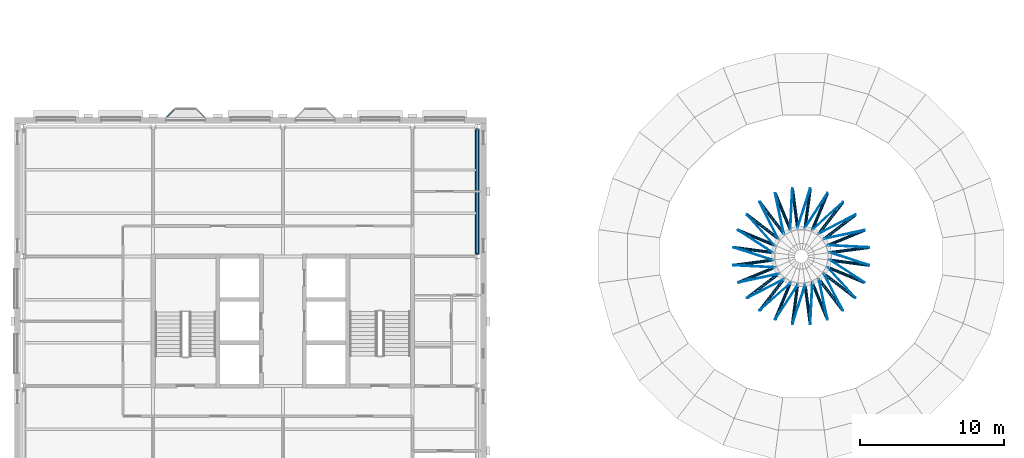
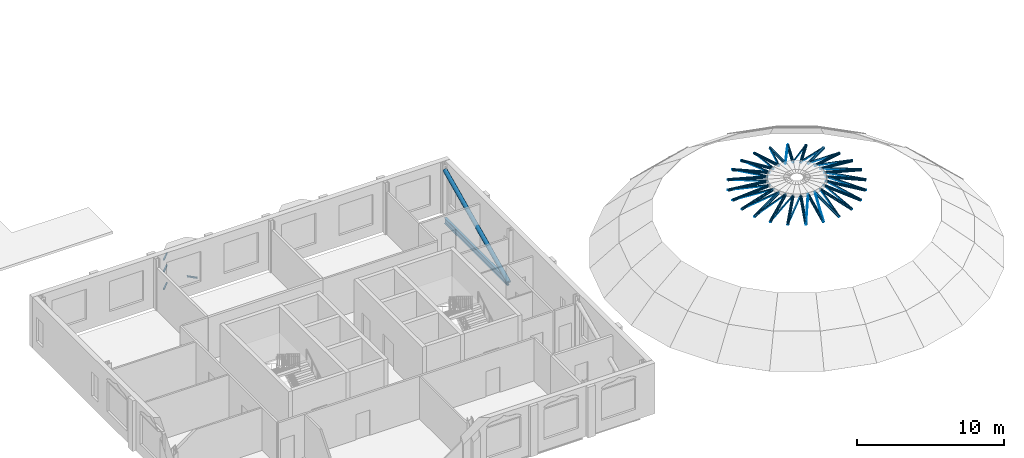
# One storey, part 3 of 15: 53 members, 25 beams, 2 elements without a shape of their own.
"""IFC4 building model written with IfcOpenShell, lengths in metres."""

from ifc_helpers import new_model, si_unit, direction, frame, origin, origin_2d, place, context, subcontext, project, spatial, rectangle, circle, hollow_circle, i_section, extrude, material, layer, layer_set, material_profile, profile_set, type_object, element, aggregate, save


model = new_model("IFC4")

# Units and contexts
model_context = context("Model", 3, precision=1e-05, world=origin(), true_north=direction((0.0, 1.0)))
body_context = subcontext(model_context, "Body", "Model", "MODEL_VIEW")
ifc_project = project(units=[si_unit("LENGTHUNIT", "METRE"), si_unit("AREAUNIT", "SQUARE_METRE"), si_unit("VOLUMEUNIT", "CUBIC_METRE"), si_unit("PLANEANGLEUNIT", "RADIAN"), si_unit("MASSUNIT", "GRAM", prefix="KILO")], contexts=[model_context])

# Site, building, storey
site_placement = place(None, origin())
site = spatial("IfcSite", under=ifc_project, at=site_placement, CompositionType="ELEMENT")
building_placement = place(site_placement, origin())
building = spatial("IfcBuilding", under=site, at=building_placement, Name="Hortulan Conservatory and Botanical Research Centre", CompositionType="ELEMENT")
storey_placement = place(building_placement, frame((0.0, 0.0, 23.39990234375)))
storey = spatial("IfcBuildingStorey", under=building, at=storey_placement, Name="L05", CompositionType="ELEMENT", Elevation=23.39990234375)

# Member
ifc_material_1 = material(Name="Steel Grade C350L0 (350 MPa, AS/NZS 1163)", Category="steel")
ifc_material_profile_1 = material_profile(ifc_material_1, hollow_circle(Radius=0.161865234375, WallThickness=0.009521484375, at=origin_2d()), Name="323.9x9.5CHS")
ifc_profile_set_1 = profile_set([ifc_material_profile_1], Name="Steel Grade C350L0 (350 MPa, AS/NZS 1163)")
member_type_1 = type_object("IfcMemberType", Name="Brace 323.9x9.5CHS", PredefinedType="BRACE", material=ifc_profile_set_1)
member_1_placement = place(storey_placement, frame((31.5, 18.16357421875, -0.28369140625), z_axis=(0.0, 0.906172061076, 0.422909205061), x_axis=(-1.0, 0.0, 0.0)))
element("IfcMember", 1, at=member_1_placement, inside=storey, type_object=member_type_1, Name="323.9x9.5CHS brace", PredefinedType="BRACE", context=body_context, shape_type="SweptSolid", body=[
    extrude(hollow_circle(Radius=0.161865234375, WallThickness=0.009521484375, at=origin_2d()), origin(), (0.0, 0.0, 1.0), 9.57080078125),
])

# Curtain wall, members
ifc_material_2 = material(Name="Bronze-finished aluminium", Category="aluminium")
ifc_layer = layer(ifc_material_2, 0.10009765625)
ifc_layer_set = layer_set([ifc_layer], Name="Oriel Curtain Wall 1350 module")
curtain_wall_type = type_object("IfcCurtainWallType", Name="Oriel Curtain Wall 1350 module", PredefinedType="NOTDEFINED", material=ifc_layer_set)
curtain_wall_1_placement = place(storey_placement, origin())
curtain_wall_1 = element("IfcCurtainWall", 2, at=curtain_wall_1_placement, inside=storey, type_object=curtain_wall_type, Name="Oriel glazing", PredefinedType="NOTDEFINED")
ifc_material_profile_2 = material_profile(ifc_material_2, rectangle(XDim=0.06005859375, YDim=0.1201171875, at=origin_2d()), Name="Bronze Transom 60x120")
ifc_profile_set_2 = profile_set([ifc_material_profile_2], Name="Bronze-finished aluminium")
member_type_2 = type_object("IfcMemberType", Name="Bronze Transom 60x120", PredefinedType="USERDEFINED", material=ifc_profile_set_2)
member_2_placement = place(storey_placement, frame((9.9423828125, 27.678466796875, 0.93017578125), z_axis=(0.707106781187, 0.707106781187, 0.0), x_axis=(-0.707106781187, 0.707106781187, 0.0)))
member_2 = element("IfcMember", 3, at=member_2_placement, type_object=member_type_2, Name="CW2 transom 1.1", ObjectType="TRANSOM", PredefinedType="USERDEFINED", context=body_context, shape_type="SweptSolid", body=[
    extrude(rectangle(XDim=0.06005859375, YDim=0.1201171875, at=origin_2d()), origin(), (0.0, 0.0, 1.0), 0.728515625),
])
member_3_placement = place(storey_placement, frame((9.9423828125, 27.678466796875, 2.400146484375), z_axis=(0.707106781187, 0.707106781187, 0.0), x_axis=(-0.707106781187, 0.707106781187, 0.0)))
member_3 = element("IfcMember", 4, at=member_3_placement, type_object=member_type_2, Name="CW2 transom 1.2", ObjectType="TRANSOM", PredefinedType="USERDEFINED", context=body_context, shape_type="SweptSolid", body=[
    extrude(rectangle(XDim=0.06005859375, YDim=0.1201171875, at=origin_2d()), origin(), (0.0, 0.0, 1.0), 0.728515625),
])
member_4_placement = place(storey_placement, frame((9.9423828125, 27.678466796875, 3.3701171875), z_axis=(0.707106781187, 0.707106781187, 0.0), x_axis=(-0.707106781187, 0.707106781187, 0.0)))
member_4 = element("IfcMember", 5, at=member_4_placement, type_object=member_type_2, Name="CW2 transom 1.3", ObjectType="TRANSOM", PredefinedType="USERDEFINED", context=body_context, shape_type="SweptSolid", body=[
    extrude(rectangle(XDim=0.06005859375, YDim=0.1201171875, at=origin_2d()), origin(), (0.0, 0.0, 1.0), 0.728515625),
])
aggregate(curtain_wall_1, [member_2, member_3, member_4])

# Curtain wall, member
curtain_wall_2_placement = place(storey_placement, origin())
curtain_wall_2 = element("IfcCurtainWall", 6, at=curtain_wall_2_placement, inside=storey, type_object=curtain_wall_type, Name="Oriel glazing", PredefinedType="NOTDEFINED")
member_5_placement = place(storey_placement, frame((12.04248046875, 28.193603515625, 0.93017578125), z_axis=(0.707106781187, -0.707106781187, 0.0), x_axis=(0.707106781187, 0.707106781187, 0.0)))
member_5 = element("IfcMember", 7, at=member_5_placement, type_object=member_type_2, Name="CW2 transom 1.1", ObjectType="TRANSOM", PredefinedType="USERDEFINED", context=body_context, shape_type="SweptSolid", body=[
    extrude(rectangle(XDim=0.06005859375, YDim=0.1201171875, at=origin_2d()), origin(), (0.0, 0.0, 1.0), 0.728515625),
])
aggregate(curtain_wall_2, [member_5])

# Members
ifc_material_3 = material(Name="Steel Grade 300PLUS (AS/NZS 3679.1, 280 MPa minimum yield)", Category="steel")
ifc_material_profile_3 = material_profile(ifc_material_3, circle(Radius=0.011962890625, at=origin_2d()), Name="24 dia rod")
ifc_profile_set_3 = profile_set([ifc_material_profile_3], Name="Steel Grade 300PLUS (AS/NZS 3679.1, 280 MPa minimum yield)")
member_type_3 = type_object("IfcMemberType", Name="Dome Diagonal Rod 24 dia rod", PredefinedType="BRACE", material=ifc_profile_set_3)
member_6_placement = place(storey_placement, frame((58.6923828125, 18.617919921875, -0.000244140625), z_axis=(-0.983932963248, 0.051008111733, 0.171096745648), x_axis=(-0.051771522542, -0.998658955527, 0.0)))
element("IfcMember", 8, at=member_6_placement, inside=storey, type_object=member_type_3, Name="Dome diagonal rod row 8 panel 01", PredefinedType="BRACE", context=body_context, shape_type="SweptSolid", body=[
    extrude(circle(Radius=0.011962890625, at=origin_2d()), origin(), (0.0, 0.0, 1.0), 2.890869140625),
])
member_7_placement = place(storey_placement, frame((58.372802734375, 19.811279296875, -0.000244140625), z_axis=(-0.963619578103, -0.205356012438, 0.171073717599), x_axis=(0.208428618843, -0.978037581511, 0.0)))
element("IfcMember", 9, at=member_7_placement, inside=storey, type_object=member_type_3, Name="Dome diagonal rod row 8 panel 02", PredefinedType="BRACE", context=body_context, shape_type="SweptSolid", body=[
    extrude(circle(Radius=0.011962890625, at=origin_2d()), origin(), (0.0, 0.0, 1.0), 2.891357421875),
])
for number, where, z_axis, x_axis, name in (
    (10, (57.7548828125, 20.88134765625, -0.000244140625), (-0.877613973545, -0.447800144492, 0.171081103666), (0.454500873961, -0.890746291358, 0.0), "Dome diagonal rod row 8 panel 03"),
    (11, (56.88134765625, 21.7548828125, -0.000244140625), (-0.731885665388, -0.659600661399, 0.171085768787), (0.669471252392, -0.742837964983, 0.0), "Dome diagonal rod row 8 panel 04"),
):
    element("IfcMember", number, at=place(storey_placement, frame(where, z_axis=z_axis, x_axis=x_axis)), inside=storey, type_object=member_type_3, Name=name, PredefinedType="BRACE", context=body_context, shape_type="SweptSolid", body=[
        extrude(circle(Radius=0.011962890625, at=origin_2d()), origin(), (0.0, 0.0, 1.0), 2.89111328125),
    ])
member_8_placement = place(storey_placement, frame((55.811279296875, 22.372802734375, -0.000244140625), z_axis=(-0.53619117637, -0.826578807164, 0.171074539107), x_axis=(0.838946481472, -0.54421392965, 0.0)))
element("IfcMember", 12, at=member_8_placement, inside=storey, type_object=member_type_3, Name="Dome diagonal rod row 8 panel 05", PredefinedType="BRACE", context=body_context, shape_type="SweptSolid", body=[
    extrude(circle(Radius=0.011962890625, at=origin_2d()), origin(), (0.0, 0.0, 1.0), 2.891357421875),
])
member_9_placement = place(storey_placement, frame((54.617919921875, 22.6923828125, -0.000244140625), z_axis=(-0.30400561153, -0.937181743544, 0.171087602489), x_axis=(0.951206502747, -0.308555001792, 0.0)))
element("IfcMember", 13, at=member_9_placement, inside=storey, type_object=member_type_3, Name="Dome diagonal rod row 8 panel 06", PredefinedType="BRACE", context=body_context, shape_type="SweptSolid", body=[
    extrude(circle(Radius=0.011962890625, at=origin_2d()), origin(), (0.0, 0.0, 1.0), 2.89111328125),
])
member_10_placement = place(storey_placement, frame((53.382080078125, 22.6923828125, -0.000244140625), z_axis=(-0.051008111733, -0.983932963248, 0.171096745648), x_axis=(0.998658955527, -0.051771522542, 0.0)))
element("IfcMember", 14, at=member_10_placement, inside=storey, type_object=member_type_3, Name="Dome diagonal rod row 8 panel 07", PredefinedType="BRACE", context=body_context, shape_type="SweptSolid", body=[
    extrude(circle(Radius=0.011962890625, at=origin_2d()), origin(), (0.0, 0.0, 1.0), 2.890869140625),
])
member_11_placement = place(storey_placement, frame((52.188720703125, 22.372802734375, -0.000244140625), z_axis=(0.205356012438, -0.963619578103, 0.171073717599), x_axis=(0.978037581511, 0.208428618843, 0.0)))
element("IfcMember", 15, at=member_11_placement, inside=storey, type_object=member_type_3, Name="Dome diagonal rod row 8 panel 08", PredefinedType="BRACE", context=body_context, shape_type="SweptSolid", body=[
    extrude(circle(Radius=0.011962890625, at=origin_2d()), origin(), (0.0, 0.0, 1.0), 2.891357421875),
])
for number, where, z_axis, x_axis, name in (
    (16, (51.11865234375, 21.7548828125, -0.000244140625), (0.447800144492, -0.877613973545, 0.171081103666), (0.890746291358, 0.454500873961, 0.0), "Dome diagonal rod row 8 panel 09"),
    (17, (50.2451171875, 20.88134765625, -0.000244140625), (0.659600661399, -0.731885665388, 0.171085768787), (0.742837964983, 0.669471252392, 0.0), "Dome diagonal rod row 8 panel 10"),
):
    element("IfcMember", number, at=place(storey_placement, frame(where, z_axis=z_axis, x_axis=x_axis)), inside=storey, type_object=member_type_3, Name=name, PredefinedType="BRACE", context=body_context, shape_type="SweptSolid", body=[
        extrude(circle(Radius=0.011962890625, at=origin_2d()), origin(), (0.0, 0.0, 1.0), 2.89111328125),
    ])
member_12_placement = place(storey_placement, frame((49.627197265625, 19.811279296875, -0.000244140625), z_axis=(0.826578807164, -0.53619117637, 0.171074539107), x_axis=(0.54421392965, 0.838946481472, 0.0)))
element("IfcMember", 18, at=member_12_placement, inside=storey, type_object=member_type_3, Name="Dome diagonal rod row 8 panel 11", PredefinedType="BRACE", context=body_context, shape_type="SweptSolid", body=[
    extrude(circle(Radius=0.011962890625, at=origin_2d()), origin(), (0.0, 0.0, 1.0), 2.891357421875),
])
member_13_placement = place(storey_placement, frame((49.3076171875, 18.617919921875, -0.000244140625), z_axis=(0.937181743544, -0.30400561153, 0.171087602489), x_axis=(0.308555001792, 0.951206502747, 0.0)))
element("IfcMember", 19, at=member_13_placement, inside=storey, type_object=member_type_3, Name="Dome diagonal rod row 8 panel 12", PredefinedType="BRACE", context=body_context, shape_type="SweptSolid", body=[
    extrude(circle(Radius=0.011962890625, at=origin_2d()), origin(), (0.0, 0.0, 1.0), 2.89111328125),
])
member_14_placement = place(storey_placement, frame((49.3076171875, 17.382080078125, -0.000244140625), z_axis=(0.983932963248, -0.051008111733, 0.171096745648), x_axis=(0.051771522542, 0.998658955527, 0.0)))
element("IfcMember", 20, at=member_14_placement, inside=storey, type_object=member_type_3, Name="Dome diagonal rod row 8 panel 13", PredefinedType="BRACE", context=body_context, shape_type="SweptSolid", body=[
    extrude(circle(Radius=0.011962890625, at=origin_2d()), origin(), (0.0, 0.0, 1.0), 2.890869140625),
])
member_15_placement = place(storey_placement, frame((49.627197265625, 16.188720703125, -0.000244140625), z_axis=(0.963619578103, 0.205356012438, 0.171073717599), x_axis=(-0.208428618843, 0.978037581511, 0.0)))
element("IfcMember", 21, at=member_15_placement, inside=storey, type_object=member_type_3, Name="Dome diagonal rod row 8 panel 14", PredefinedType="BRACE", context=body_context, shape_type="SweptSolid", body=[
    extrude(circle(Radius=0.011962890625, at=origin_2d()), origin(), (0.0, 0.0, 1.0), 2.891357421875),
])
for number, where, z_axis, x_axis, name in (
    (22, (50.2451171875, 15.11865234375, -0.000244140625), (0.877613973545, 0.447800144492, 0.171081103666), (-0.454500873961, 0.890746291358, 0.0), "Dome diagonal rod row 8 panel 15"),
    (23, (51.11865234375, 14.2451171875, -0.000244140625), (0.731885665388, 0.659600661399, 0.171085768787), (-0.669471252392, 0.742837964983, 0.0), "Dome diagonal rod row 8 panel 16"),
):
    element("IfcMember", number, at=place(storey_placement, frame(where, z_axis=z_axis, x_axis=x_axis)), inside=storey, type_object=member_type_3, Name=name, PredefinedType="BRACE", context=body_context, shape_type="SweptSolid", body=[
        extrude(circle(Radius=0.011962890625, at=origin_2d()), origin(), (0.0, 0.0, 1.0), 2.89111328125),
    ])
member_16_placement = place(storey_placement, frame((52.188720703125, 13.627197265625, -0.000244140625), z_axis=(0.53619117637, 0.826578807164, 0.171074539107), x_axis=(-0.838946481472, 0.54421392965, 0.0)))
element("IfcMember", 24, at=member_16_placement, inside=storey, type_object=member_type_3, Name="Dome diagonal rod row 8 panel 17", PredefinedType="BRACE", context=body_context, shape_type="SweptSolid", body=[
    extrude(circle(Radius=0.011962890625, at=origin_2d()), origin(), (0.0, 0.0, 1.0), 2.891357421875),
])
member_17_placement = place(storey_placement, frame((53.382080078125, 13.3076171875, -0.000244140625), z_axis=(0.30400561153, 0.937181743544, 0.171087602489), x_axis=(-0.951206502747, 0.308555001792, 0.0)))
element("IfcMember", 25, at=member_17_placement, inside=storey, type_object=member_type_3, Name="Dome diagonal rod row 8 panel 18", PredefinedType="BRACE", context=body_context, shape_type="SweptSolid", body=[
    extrude(circle(Radius=0.011962890625, at=origin_2d()), origin(), (0.0, 0.0, 1.0), 2.89111328125),
])
member_18_placement = place(storey_placement, frame((54.617919921875, 13.3076171875, -0.000244140625), z_axis=(0.051008111733, 0.983932963248, 0.171096745648), x_axis=(-0.998658955527, 0.051771522542, 0.0)))
element("IfcMember", 26, at=member_18_placement, inside=storey, type_object=member_type_3, Name="Dome diagonal rod row 8 panel 19", PredefinedType="BRACE", context=body_context, shape_type="SweptSolid", body=[
    extrude(circle(Radius=0.011962890625, at=origin_2d()), origin(), (0.0, 0.0, 1.0), 2.890869140625),
])
member_19_placement = place(storey_placement, frame((55.811279296875, 13.627197265625, -0.000244140625), z_axis=(-0.205356012438, 0.963619578103, 0.171073717599), x_axis=(-0.978037581511, -0.208428618843, 0.0)))
element("IfcMember", 27, at=member_19_placement, inside=storey, type_object=member_type_3, Name="Dome diagonal rod row 8 panel 20", PredefinedType="BRACE", context=body_context, shape_type="SweptSolid", body=[
    extrude(circle(Radius=0.011962890625, at=origin_2d()), origin(), (0.0, 0.0, 1.0), 2.891357421875),
])
for number, where, z_axis, x_axis, name in (
    (28, (56.88134765625, 14.2451171875, -0.000244140625), (-0.447800144492, 0.877613973545, 0.171081103666), (-0.890746291358, -0.454500873961, 0.0), "Dome diagonal rod row 8 panel 21"),
    (29, (57.7548828125, 15.11865234375, -0.000244140625), (-0.659600661399, 0.731885665388, 0.171085768787), (-0.742837964983, -0.669471252392, 0.0), "Dome diagonal rod row 8 panel 22"),
):
    element("IfcMember", number, at=place(storey_placement, frame(where, z_axis=z_axis, x_axis=x_axis)), inside=storey, type_object=member_type_3, Name=name, PredefinedType="BRACE", context=body_context, shape_type="SweptSolid", body=[
        extrude(circle(Radius=0.011962890625, at=origin_2d()), origin(), (0.0, 0.0, 1.0), 2.89111328125),
    ])
member_20_placement = place(storey_placement, frame((58.372802734375, 16.188720703125, -0.000244140625), z_axis=(-0.826578807164, 0.53619117637, 0.171074539107), x_axis=(-0.54421392965, -0.838946481472, 0.0)))
element("IfcMember", 30, at=member_20_placement, inside=storey, type_object=member_type_3, Name="Dome diagonal rod row 8 panel 23", PredefinedType="BRACE", context=body_context, shape_type="SweptSolid", body=[
    extrude(circle(Radius=0.011962890625, at=origin_2d()), origin(), (0.0, 0.0, 1.0), 2.891357421875),
])
member_21_placement = place(storey_placement, frame((58.6923828125, 17.382080078125, -0.000244140625), z_axis=(-0.937181743544, 0.30400561153, 0.171087602489), x_axis=(-0.308555001792, -0.951206502747, 0.0)))
element("IfcMember", 31, at=member_21_placement, inside=storey, type_object=member_type_3, Name="Dome diagonal rod row 8 panel 24", PredefinedType="BRACE", context=body_context, shape_type="SweptSolid", body=[
    extrude(circle(Radius=0.011962890625, at=origin_2d()), origin(), (0.0, 0.0, 1.0), 2.89111328125),
])
ifc_material_profile_4 = material_profile(ifc_material_2, rectangle(XDim=0.050048828125, YDim=0.050048828125, at=origin_2d()), Name="Square bar 50x50")
ifc_profile_set_4 = profile_set([ifc_material_profile_4], Name="Bronze-finished aluminium")
member_type_4 = type_object("IfcMemberType", Name="Dome Glazing Bar 50x50", PredefinedType="MEMBER", material=ifc_profile_set_4)
member_22_placement = place(storey_placement, frame((58.708740234375, 18.619873046875, 0.063232421875), z_axis=(-0.983945264857, 0.051082344831, 0.171003829814), x_axis=(-0.051846017801, -0.998655090829, 0.0)))
element("IfcMember", 32, at=member_22_placement, inside=storey, type_object=member_type_4, Name="Dome glazing bar row 8 panel 01", PredefinedType="MEMBER", context=body_context, shape_type="SweptSolid", body=[
    extrude(rectangle(XDim=0.050048828125, YDim=0.050048828125, at=origin_2d()), origin(), (0.0, 0.0, 1.0), 2.901123046875),
])
member_23_placement = place(storey_placement, frame((58.3876953125, 19.8173828125, 0.063232421875), z_axis=(-0.963631563756, -0.205350307036, 0.171013042581), x_axis=(0.208420599874, -0.978039290391, 0.0)))
element("IfcMember", 33, at=member_23_placement, inside=storey, type_object=member_type_4, Name="Dome glazing bar row 8 panel 02", PredefinedType="MEMBER", context=body_context, shape_type="SweptSolid", body=[
    extrude(rectangle(XDim=0.050048828125, YDim=0.050048828125, at=origin_2d()), origin(), (0.0, 0.0, 1.0), 2.90087890625),
])
for number, where, z_axis, x_axis, name in (
    (34, (57.767822265625, 20.891357421875, 0.063232421875), (-0.877639030623, -0.447781885314, 0.171000336583), (0.454475873966, -0.890759047096, 0.0), "Dome glazing bar row 8 panel 03"),
    (35, (56.891357421875, 21.767822265625, 0.063232421875), (-0.731897839967, -0.659608516691, 0.171003381719), (0.669469506769, -0.742839538195, 0.0), "Dome glazing bar row 8 panel 04"),
):
    element("IfcMember", number, at=place(storey_placement, frame(where, z_axis=z_axis, x_axis=x_axis)), inside=storey, type_object=member_type_4, Name=name, PredefinedType="MEMBER", context=body_context, shape_type="SweptSolid", body=[
        extrude(rectangle(XDim=0.050048828125, YDim=0.050048828125, at=origin_2d()), origin(), (0.0, 0.0, 1.0), 2.901123046875),
    ])
member_24_placement = place(storey_placement, frame((55.8173828125, 22.3876953125, 0.063232421875), z_axis=(-0.536173195969, -0.826603850385, 0.171009878231), x_axis=(0.83896234101, -0.544189480205, 0.0)))
element("IfcMember", 36, at=member_24_placement, inside=storey, type_object=member_type_4, Name="Dome glazing bar row 8 panel 05", PredefinedType="MEMBER", context=body_context, shape_type="SweptSolid", body=[
    extrude(rectangle(XDim=0.050048828125, YDim=0.050048828125, at=origin_2d()), origin(), (0.0, 0.0, 1.0), 2.90087890625),
])
for number, where, z_axis, x_axis, name in (
    (37, (54.619873046875, 22.708740234375, 0.063232421875), (-0.303960795502, -0.937212452797, 0.170998985731), (0.951222818949, -0.308504698037, 0.0), "Dome glazing bar row 8 panel 06"),
    (38, (53.380126953125, 22.708740234375, 0.063232421875), (-0.051082344831, -0.983945264857, 0.171003829814), (0.998655090829, -0.051846017801, 0.0), "Dome glazing bar row 8 panel 07"),
):
    element("IfcMember", number, at=place(storey_placement, frame(where, z_axis=z_axis, x_axis=x_axis)), inside=storey, type_object=member_type_4, Name=name, PredefinedType="MEMBER", context=body_context, shape_type="SweptSolid", body=[
        extrude(rectangle(XDim=0.050048828125, YDim=0.050048828125, at=origin_2d()), origin(), (0.0, 0.0, 1.0), 2.901123046875),
    ])
member_25_placement = place(storey_placement, frame((52.1826171875, 22.3876953125, 0.063232421875), z_axis=(0.205350307036, -0.963631563756, 0.171013042581), x_axis=(0.978039290391, 0.208420599874, 0.0)))
element("IfcMember", 39, at=member_25_placement, inside=storey, type_object=member_type_4, Name="Dome glazing bar row 8 panel 08", PredefinedType="MEMBER", context=body_context, shape_type="SweptSolid", body=[
    extrude(rectangle(XDim=0.050048828125, YDim=0.050048828125, at=origin_2d()), origin(), (0.0, 0.0, 1.0), 2.90087890625),
])
for number, where, z_axis, x_axis, name in (
    (40, (51.108642578125, 21.767822265625, 0.063232421875), (0.447781885314, -0.877639030623, 0.171000336583), (0.890759047096, 0.454475873966, 0.0), "Dome glazing bar row 8 panel 09"),
    (41, (50.232177734375, 20.891357421875, 0.063232421875), (0.659608516691, -0.731897839967, 0.171003381719), (0.742839538195, 0.669469506769, 0.0), "Dome glazing bar row 8 panel 10"),
):
    element("IfcMember", number, at=place(storey_placement, frame(where, z_axis=z_axis, x_axis=x_axis)), inside=storey, type_object=member_type_4, Name=name, PredefinedType="MEMBER", context=body_context, shape_type="SweptSolid", body=[
        extrude(rectangle(XDim=0.050048828125, YDim=0.050048828125, at=origin_2d()), origin(), (0.0, 0.0, 1.0), 2.901123046875),
    ])
member_26_placement = place(storey_placement, frame((49.6123046875, 19.8173828125, 0.063232421875), z_axis=(0.826603850385, -0.536173195969, 0.171009878231), x_axis=(0.544189480205, 0.83896234101, 0.0)))
element("IfcMember", 42, at=member_26_placement, inside=storey, type_object=member_type_4, Name="Dome glazing bar row 8 panel 11", PredefinedType="MEMBER", context=body_context, shape_type="SweptSolid", body=[
    extrude(rectangle(XDim=0.050048828125, YDim=0.050048828125, at=origin_2d()), origin(), (0.0, 0.0, 1.0), 2.90087890625),
])
for number, where, z_axis, x_axis, name in (
    (43, (49.291259765625, 18.619873046875, 0.063232421875), (0.937212452797, -0.303960795502, 0.170998985731), (0.308504698037, 0.951222818949, 0.0), "Dome glazing bar row 8 panel 12"),
    (44, (49.291259765625, 17.380126953125, 0.063232421875), (0.983945264857, -0.051082344831, 0.171003829814), (0.051846017801, 0.998655090829, 0.0), "Dome glazing bar row 8 panel 13"),
):
    element("IfcMember", number, at=place(storey_placement, frame(where, z_axis=z_axis, x_axis=x_axis)), inside=storey, type_object=member_type_4, Name=name, PredefinedType="MEMBER", context=body_context, shape_type="SweptSolid", body=[
        extrude(rectangle(XDim=0.050048828125, YDim=0.050048828125, at=origin_2d()), origin(), (0.0, 0.0, 1.0), 2.901123046875),
    ])
member_27_placement = place(storey_placement, frame((49.6123046875, 16.1826171875, 0.063232421875), z_axis=(0.963631563756, 0.205350307036, 0.171013042581), x_axis=(-0.208420599874, 0.978039290391, 0.0)))
element("IfcMember", 45, at=member_27_placement, inside=storey, type_object=member_type_4, Name="Dome glazing bar row 8 panel 14", PredefinedType="MEMBER", context=body_context, shape_type="SweptSolid", body=[
    extrude(rectangle(XDim=0.050048828125, YDim=0.050048828125, at=origin_2d()), origin(), (0.0, 0.0, 1.0), 2.90087890625),
])
for number, where, z_axis, x_axis, name in (
    (46, (50.232177734375, 15.108642578125, 0.063232421875), (0.877639030623, 0.447781885314, 0.171000336583), (-0.454475873966, 0.890759047096, 0.0), "Dome glazing bar row 8 panel 15"),
    (47, (51.108642578125, 14.232177734375, 0.063232421875), (0.731897839967, 0.659608516691, 0.171003381719), (-0.669469506769, 0.742839538195, 0.0), "Dome glazing bar row 8 panel 16"),
):
    element("IfcMember", number, at=place(storey_placement, frame(where, z_axis=z_axis, x_axis=x_axis)), inside=storey, type_object=member_type_4, Name=name, PredefinedType="MEMBER", context=body_context, shape_type="SweptSolid", body=[
        extrude(rectangle(XDim=0.050048828125, YDim=0.050048828125, at=origin_2d()), origin(), (0.0, 0.0, 1.0), 2.901123046875),
    ])
member_28_placement = place(storey_placement, frame((52.1826171875, 13.6123046875, 0.063232421875), z_axis=(0.536173195969, 0.826603850385, 0.171009878231), x_axis=(-0.83896234101, 0.544189480205, 0.0)))
element("IfcMember", 48, at=member_28_placement, inside=storey, type_object=member_type_4, Name="Dome glazing bar row 8 panel 17", PredefinedType="MEMBER", context=body_context, shape_type="SweptSolid", body=[
    extrude(rectangle(XDim=0.050048828125, YDim=0.050048828125, at=origin_2d()), origin(), (0.0, 0.0, 1.0), 2.90087890625),
])
for number, where, z_axis, x_axis, name in (
    (49, (53.380126953125, 13.291259765625, 0.063232421875), (0.303960795502, 0.937212452797, 0.170998985731), (-0.951222818949, 0.308504698037, 0.0), "Dome glazing bar row 8 panel 18"),
    (50, (54.619873046875, 13.291259765625, 0.063232421875), (0.051082344831, 0.983945264857, 0.171003829814), (-0.998655090829, 0.051846017801, 0.0), "Dome glazing bar row 8 panel 19"),
):
    element("IfcMember", number, at=place(storey_placement, frame(where, z_axis=z_axis, x_axis=x_axis)), inside=storey, type_object=member_type_4, Name=name, PredefinedType="MEMBER", context=body_context, shape_type="SweptSolid", body=[
        extrude(rectangle(XDim=0.050048828125, YDim=0.050048828125, at=origin_2d()), origin(), (0.0, 0.0, 1.0), 2.901123046875),
    ])
member_29_placement = place(storey_placement, frame((55.8173828125, 13.6123046875, 0.063232421875), z_axis=(-0.205350307036, 0.963631563756, 0.171013042581), x_axis=(-0.978039290391, -0.208420599874, 0.0)))
element("IfcMember", 51, at=member_29_placement, inside=storey, type_object=member_type_4, Name="Dome glazing bar row 8 panel 20", PredefinedType="MEMBER", context=body_context, shape_type="SweptSolid", body=[
    extrude(rectangle(XDim=0.050048828125, YDim=0.050048828125, at=origin_2d()), origin(), (0.0, 0.0, 1.0), 2.90087890625),
])
for number, where, z_axis, x_axis, name in (
    (52, (56.891357421875, 14.232177734375, 0.063232421875), (-0.447781885314, 0.877639030623, 0.171000336583), (-0.890759047096, -0.454475873966, 0.0), "Dome glazing bar row 8 panel 21"),
    (53, (57.767822265625, 15.108642578125, 0.063232421875), (-0.659608516691, 0.731897839967, 0.171003381719), (-0.742839538195, -0.669469506769, 0.0), "Dome glazing bar row 8 panel 22"),
):
    element("IfcMember", number, at=place(storey_placement, frame(where, z_axis=z_axis, x_axis=x_axis)), inside=storey, type_object=member_type_4, Name=name, PredefinedType="MEMBER", context=body_context, shape_type="SweptSolid", body=[
        extrude(rectangle(XDim=0.050048828125, YDim=0.050048828125, at=origin_2d()), origin(), (0.0, 0.0, 1.0), 2.901123046875),
    ])
member_30_placement = place(storey_placement, frame((58.3876953125, 16.1826171875, 0.063232421875), z_axis=(-0.826603850385, 0.536173195969, 0.171009878231), x_axis=(-0.544189480205, -0.83896234101, 0.0)))
element("IfcMember", 54, at=member_30_placement, inside=storey, type_object=member_type_4, Name="Dome glazing bar row 8 panel 23", PredefinedType="MEMBER", context=body_context, shape_type="SweptSolid", body=[
    extrude(rectangle(XDim=0.050048828125, YDim=0.050048828125, at=origin_2d()), origin(), (0.0, 0.0, 1.0), 2.90087890625),
])
member_31_placement = place(storey_placement, frame((58.708740234375, 17.380126953125, 0.063232421875), z_axis=(-0.937212452797, 0.303960795502, 0.170998985731), x_axis=(-0.308504698037, -0.951222818949, 0.0)))
element("IfcMember", 55, at=member_31_placement, inside=storey, type_object=member_type_4, Name="Dome glazing bar row 8 panel 24", PredefinedType="MEMBER", context=body_context, shape_type="SweptSolid", body=[
    extrude(rectangle(XDim=0.050048828125, YDim=0.050048828125, at=origin_2d()), origin(), (0.0, 0.0, 1.0), 2.901123046875),
])

# Beams
ifc_material_profile_5 = material_profile(ifc_material_1, hollow_circle(Radius=0.109619140625, WallThickness=0.00830078125, at=origin_2d()), Name="219.1x8.2CHS")
ifc_profile_set_5 = profile_set([ifc_material_profile_5], Name="Steel Grade C350L0 (350 MPa, AS/NZS 1163)")
beam_type_1 = type_object("IfcBeamType", Name="Dome Rib 219.1x8.2 CHS", PredefinedType="BEAM", material=ifc_profile_set_5)
for number, where, z_axis, x_axis, name in (
    (56, (58.6923828125, 18.617919921875, -0.000244140625), (-0.975583891963, -0.128518980902, 0.178098122645), (0.130607030368, -0.991434215477, 0.0), "Dome rib 01 segment 8"),
    (57, (58.372802734375, 19.811279296875, -0.000244140625), (-0.909103660298, -0.376580939926, 0.178093600441), (0.38269893678, -0.92387311022, 0.0), "Dome rib 02 segment 8"),
    (58, (57.7548828125, 20.88134765625, -0.000244140625), (-0.780655440019, -0.599050424922, 0.178088945105), (0.608782176932, -0.793337419418, 0.0), "Dome rib 03 segment 8"),
    (59, (56.88134765625, 21.7548828125, -0.000244140625), (-0.599050424922, -0.780655440019, 0.178088945105), (0.793337419418, -0.608782176932, 0.0), "Dome rib 04 segment 8"),
    (60, (55.811279296875, 22.372802734375, -0.000244140625), (-0.376580939926, -0.909103660298, 0.178093600441), (0.92387311022, -0.38269893678, 0.0), "Dome rib 05 segment 8"),
    (61, (54.617919921875, 22.6923828125, -0.000244140625), (-0.128518980902, -0.975583891963, 0.178098122645), (0.991434215477, -0.130607030368, 0.0), "Dome rib 06 segment 8"),
    (62, (53.382080078125, 22.6923828125, -0.000244140625), (0.128518980902, -0.975583891963, 0.178098122645), (0.991434215477, 0.130607030368, 0.0), "Dome rib 07 segment 8"),
    (63, (52.188720703125, 22.372802734375, -0.000244140625), (0.376580939926, -0.909103660298, 0.178093600441), (0.92387311022, 0.38269893678, 0.0), "Dome rib 08 segment 8"),
    (64, (51.11865234375, 21.7548828125, -0.000244140625), (0.599050424922, -0.780655440019, 0.178088945105), (0.793337419418, 0.608782176932, 0.0), "Dome rib 09 segment 8"),
    (65, (50.2451171875, 20.88134765625, -0.000244140625), (0.780655440019, -0.599050424922, 0.178088945105), (0.608782176932, 0.793337419418, 0.0), "Dome rib 10 segment 8"),
    (66, (49.627197265625, 19.811279296875, -0.000244140625), (0.909103660298, -0.376580939926, 0.178093600441), (0.38269893678, 0.92387311022, 0.0), "Dome rib 11 segment 8"),
    (67, (49.3076171875, 18.617919921875, -0.000244140625), (0.975583891963, -0.128518980902, 0.178098122645), (0.130607030368, 0.991434215477, 0.0), "Dome rib 12 segment 8"),
    (68, (49.3076171875, 17.382080078125, -0.000244140625), (0.975583891963, 0.128518980902, 0.178098122645), (-0.130607030368, 0.991434215477, 0.0), "Dome rib 13 segment 8"),
    (69, (49.627197265625, 16.188720703125, -0.000244140625), (0.909103660298, 0.376580939926, 0.178093600441), (-0.38269893678, 0.92387311022, 0.0), "Dome rib 14 segment 8"),
    (70, (50.2451171875, 15.11865234375, -0.000244140625), (0.780655440019, 0.599050424922, 0.178088945105), (-0.608782176932, 0.793337419418, 0.0), "Dome rib 15 segment 8"),
    (71, (51.11865234375, 14.2451171875, -0.000244140625), (0.599050424922, 0.780655440019, 0.178088945105), (-0.793337419418, 0.608782176932, 0.0), "Dome rib 16 segment 8"),
    (72, (52.188720703125, 13.627197265625, -0.000244140625), (0.376580939926, 0.909103660298, 0.178093600441), (-0.92387311022, 0.38269893678, 0.0), "Dome rib 17 segment 8"),
    (73, (53.382080078125, 13.3076171875, -0.000244140625), (0.128518980902, 0.975583891963, 0.178098122645), (-0.991434215477, 0.130607030368, 0.0), "Dome rib 18 segment 8"),
    (74, (54.617919921875, 13.3076171875, -0.000244140625), (-0.128518980902, 0.975583891963, 0.178098122645), (-0.991434215477, -0.130607030368, 0.0), "Dome rib 19 segment 8"),
    (75, (55.811279296875, 13.627197265625, -0.000244140625), (-0.376580939926, 0.909103660298, 0.178093600441), (-0.92387311022, -0.38269893678, 0.0), "Dome rib 20 segment 8"),
    (76, (56.88134765625, 14.2451171875, -0.000244140625), (-0.599050424922, 0.780655440019, 0.178088945105), (-0.793337419418, -0.608782176932, 0.0), "Dome rib 21 segment 8"),
    (77, (57.7548828125, 15.11865234375, -0.000244140625), (-0.780655440019, 0.599050424922, 0.178088945105), (-0.608782176932, -0.793337419418, 0.0), "Dome rib 22 segment 8"),
    (78, (58.372802734375, 16.188720703125, -0.000244140625), (-0.909103660298, 0.376580939926, 0.178093600441), (-0.38269893678, -0.92387311022, 0.0), "Dome rib 23 segment 8"),
    (79, (58.6923828125, 17.382080078125, -0.000244140625), (-0.975583891963, 0.128518980902, 0.178098122645), (-0.130607030368, -0.991434215477, 0.0), "Dome rib 24 segment 8"),
):
    element("IfcBeam", number, at=place(storey_placement, frame(where, z_axis=z_axis, x_axis=x_axis)), inside=storey, type_object=beam_type_1, Name=name, PredefinedType="BEAM", context=body_context, shape_type="SweptSolid", body=[
        extrude(hollow_circle(Radius=0.109619140625, WallThickness=0.00830078125, at=origin_2d()), origin(), (0.0, 0.0, 1.0), 2.77734375),
    ])
ifc_material_profile_6 = material_profile(ifc_material_3, i_section(OverallWidth=0.19091796875, OverallDepth=0.4599609375, WebThickness=0.010009765625, FlangeThickness=0.01611328125, FilletRadius=0.011474609375, at=origin_2d()), Name="460UB82.1")
ifc_profile_set_6 = profile_set([ifc_material_profile_6], Name="Steel Grade 300PLUS (AS/NZS 3679.1, 280 MPa minimum yield)")
beam_type_2 = type_object("IfcBeamType", Name="Primary Beam 460UB82.1", PredefinedType="BEAM", material=ifc_profile_set_6)
beam_placement = place(storey_placement, frame((31.5, 18.2109375, -0.35986328125), z_axis=(0.0, 1.0, 0.0), x_axis=(-1.0, 0.0, 0.0)))
element("IfcBeam", 80, at=beam_placement, inside=storey, type_object=beam_type_2, Name="460UB82.1 girder", PredefinedType="BEAM", context=body_context, shape_type="SweptSolid", body=[
    extrude(i_section(OverallWidth=0.19091796875, OverallDepth=0.4599609375, WebThickness=0.010009765625, FlangeThickness=0.01611328125, FilletRadius=0.011474609375, at=origin_2d()), origin(), (0.0, 0.0, 1.0), 8.578125),
])

save(model, "model.ifc")
